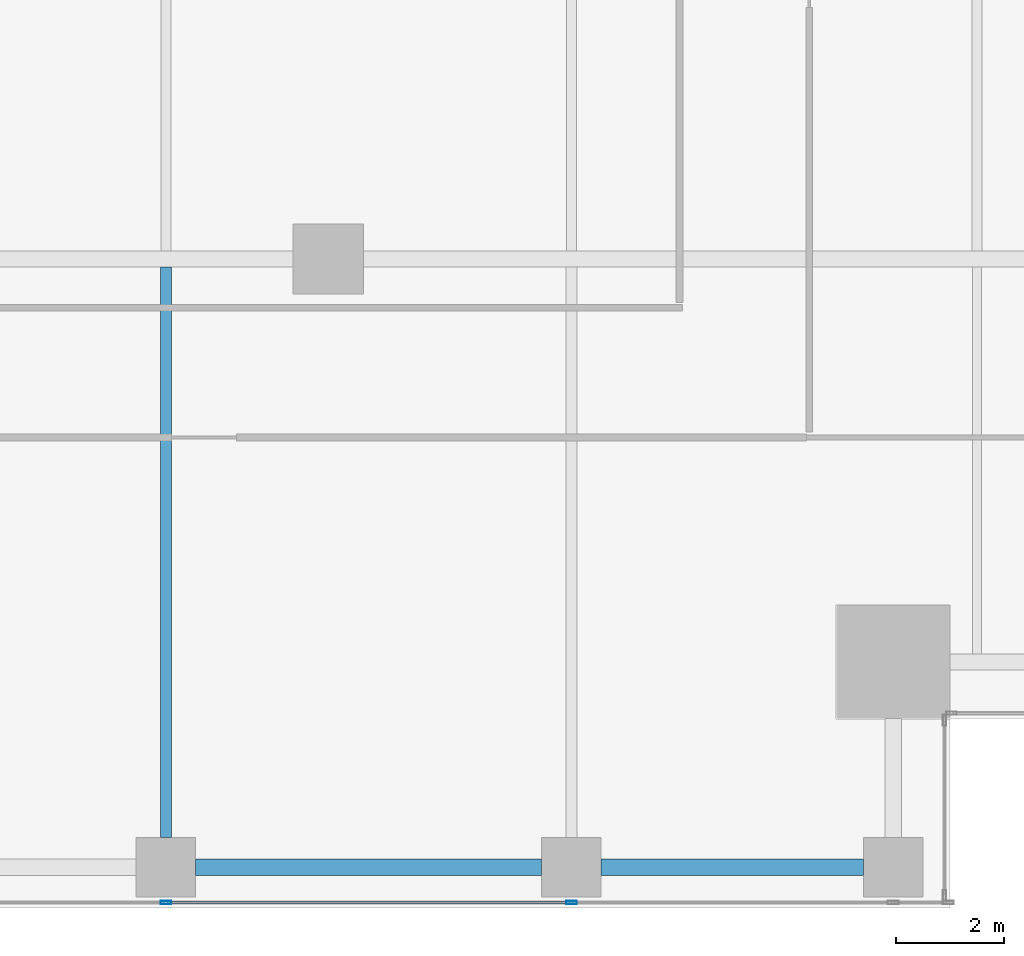
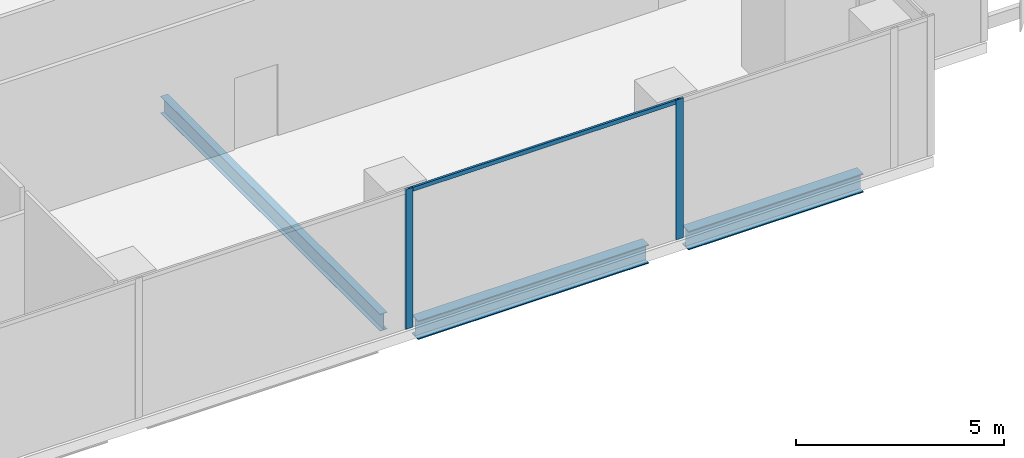
# One storey, part 9 of 33: 3 beams, 3 members, 1 element without a shape of its own.
"""IFC4 building model written with IfcOpenShell, lengths in metres."""

import ifcopenshell
import ifcopenshell.guid

model = None  # the IFC model being written
_history = None  # IfcOwnerHistory: only IFC2X3 demands one
_inside = {}  # id of a spatial element -> (the spatial element, [elements in it])
_under = {}  # id of a project, library or spatial element -> (it, [spatial elements below it])
_declared = {}  # id of a project -> (the project, [libraries it declares])
_typed = {}  # id of a type object -> (the type object, [elements of that type])
_made_of = {}  # id of a material, layer set ... -> (it, [elements and type objects made of it])


def new_model(schema):
    """Start an empty IFC model of exactly this schema.

    Asked for "IFC4X3", IfcOpenShell would pick the latest addendum, in which some entities
    have other attributes; the version numbers below select the first issue.
    IFC2X3 requires an IfcOwnerHistory on every rooted entity: one is made here for all.
    """
    global model, _history
    if schema == "IFC4X3":
        model = ifcopenshell.file(schema_version=(4, 3, 0, 0))
    else:
        model = ifcopenshell.file(schema=schema)
    _inside.clear()
    _under.clear()
    _declared.clear()
    _typed.clear()
    _made_of.clear()
    _history = None
    if model.schema == "IFC2X3":
        org = make("IfcOrganization", Name="unknown")
        user = make(
            "IfcPersonAndOrganization",
            ThePerson=make("IfcPerson", FamilyName="unknown"),
            TheOrganization=org,
        )
        app = make(
            "IfcApplication",
            ApplicationDeveloper=org,
            Version="unknown",
            ApplicationFullName="unknown",
            ApplicationIdentifier="unknown",
        )
        _history = make(
            "IfcOwnerHistory",
            OwningUser=user,
            OwningApplication=app,
            ChangeAction="ADDED",
            CreationDate=0,
        )
    return model


def make(cls, **values):
    """One entity of the class cls with the attributes given. An attribute that is None is left unset."""
    return model.create_entity(
        cls, **{name: value for name, value in values.items() if value is not None}
    )


def rooted(cls, **values):
    """An entity with a GlobalId (a new one), such as an element, a storey or a relation."""
    return make(cls, GlobalId=ifcopenshell.guid.new(), OwnerHistory=_history, **values)


def si_unit(unit_type, name, prefix=None):
    """IfcSIUnit, for example si_unit("LENGTHUNIT", "METRE", prefix="MILLI")."""
    return make("IfcSIUnit", UnitType=unit_type, Prefix=prefix, Name=name)


def assignment(units):
    """IfcUnitAssignment: the units of a project."""
    return None if units is None else make("IfcUnitAssignment", Units=units)


def point(xyz):
    """IfcCartesianPoint."""
    return None if xyz is None else make("IfcCartesianPoint", Coordinates=xyz)


def direction(xyz):
    """IfcDirection."""
    return None if xyz is None else make("IfcDirection", DirectionRatios=xyz)


def frame(location, z_axis=None, x_axis=None):
    """IfcAxis2Placement3D, a coordinate frame: its origin and axes. An axis left out is left unset."""
    return make(
        "IfcAxis2Placement3D",
        Location=point(location),
        Axis=direction(z_axis),
        RefDirection=direction(x_axis),
    )


def frame_2d(location, x_axis=None):
    """IfcAxis2Placement2D, a coordinate frame in the plane: its origin and x axis."""
    return make(
        "IfcAxis2Placement2D", Location=point(location), RefDirection=direction(x_axis)
    )


def origin():
    """The frame at (0, 0, 0) with its axes left unset."""
    return frame((0.0, 0.0, 0.0))


def origin_2d():
    """The frame at (0, 0) in the plane with its x axis left unset."""
    return frame_2d((0.0, 0.0))


def place(relative_to, where):
    """IfcLocalPlacement: puts the frame where relative to a parent placement (None: the world)."""
    return make(
        "IfcLocalPlacement", PlacementRelTo=relative_to, RelativePlacement=where
    )


def context(
    kind, dimensions, precision=None, world=None, true_north=None, identifier=None
):
    """IfcGeometricRepresentationContext, for example the 3D "Model" context."""
    return make(
        "IfcGeometricRepresentationContext",
        ContextIdentifier=identifier,
        ContextType=kind,
        CoordinateSpaceDimension=dimensions,
        Precision=precision,
        WorldCoordinateSystem=world,
        TrueNorth=true_north,
    )


def subcontext(parent, identifier, kind, view, scale=None):
    """IfcGeometricRepresentationSubContext, for example "Body" below "Model"."""
    return make(
        "IfcGeometricRepresentationSubContext",
        ContextIdentifier=identifier,
        ContextType=kind,
        ParentContext=parent,
        TargetScale=scale,
        TargetView=view,
    )


def project(units=None, contexts=None):
    """IfcProject with its units and contexts."""
    return rooted(
        "IfcProject",
        Name="project",
        RepresentationContexts=contexts,
        UnitsInContext=assignment(units),
    )


def spatial(cls, under=None, at=None, **own):
    """A site, building, storey or space (cls), placed at a placement, below another one or the project."""
    s = rooted(cls, ObjectPlacement=at, **own)
    if under is not None:
        _under.setdefault(under.id(), (under, []))[1].append(s)
    return s


def profile(cls, at=None, kind="AREA", **sizes):
    """A parametric profile (cls). Its sizes go by their IFC names, for example OverallWidth=200.0."""
    return make(cls, ProfileType=kind, Position=at, **sizes)


def hollow_rectangle(**sizes):
    """IfcRectangleHollowProfileDef."""
    return profile("IfcRectangleHollowProfileDef", **sizes)


def i_section(**sizes):
    """IfcIShapeProfileDef."""
    return profile("IfcIShapeProfileDef", **sizes)


def extrude(swept, where, along, depth):
    """IfcExtrudedAreaSolid: the profile swept, set in the frame where, extruded along a direction by depth."""
    return make(
        "IfcExtrudedAreaSolid",
        SweptArea=swept,
        Position=where,
        ExtrudedDirection=direction(along),
        Depth=depth,
    )


def shape(context_of_items, identifier, shape_type, items):
    """IfcShapeRepresentation: the items that make up one representation, for example the "Body"."""
    return make(
        "IfcShapeRepresentation",
        ContextOfItems=context_of_items,
        RepresentationIdentifier=identifier,
        RepresentationType=shape_type,
        Items=items,
    )


def source(mapping_origin, context_of_items, identifier, shape_type, items):
    """IfcRepresentationMap: a shape defined once, which mapped items show again and again."""
    return make(
        "IfcRepresentationMap",
        MappingOrigin=mapping_origin,
        MappedRepresentation=shape(context_of_items, identifier, shape_type, items),
    )


def transform(
    local_origin,
    x_axis=None,
    y_axis=None,
    z_axis=None,
    scale=None,
    scale2=None,
    scale3=None,
    uniform=True,
):
    """IfcCartesianTransformationOperator3D, or its non-uniform kind. x_axis, y_axis, z_axis: its Axis1, 2, 3."""
    if uniform:
        return make(
            "IfcCartesianTransformationOperator3D",
            Axis1=direction(x_axis),
            Axis2=direction(y_axis),
            LocalOrigin=point(local_origin),
            Scale=scale,
            Axis3=direction(z_axis),
        )
    return make(
        "IfcCartesianTransformationOperator3DnonUniform",
        Axis1=direction(x_axis),
        Axis2=direction(y_axis),
        LocalOrigin=point(local_origin),
        Scale=scale,
        Axis3=direction(z_axis),
        Scale2=scale2,
        Scale3=scale3,
    )


def mapped(mapping_source, mapping_target):
    """IfcMappedItem: shows the shape of a source again, moved by a transform."""
    return make(
        "IfcMappedItem", MappingSource=mapping_source, MappingTarget=mapping_target
    )


def material(Name=None, Category=None):
    """IfcMaterial."""
    return make("IfcMaterial", Name=Name, Category=Category)


def material_profile(
    of_material, cross_section, Name=None, Category=None, Priority=None
):
    """IfcMaterialProfile: a cross section and its material."""
    return make(
        "IfcMaterialProfile",
        Name=Name,
        Material=of_material,
        Profile=cross_section,
        Priority=Priority,
        Category=Category,
    )


def profile_set(profiles, Name=None, composite=None):
    """IfcMaterialProfileSet."""
    return make(
        "IfcMaterialProfileSet",
        Name=Name,
        MaterialProfiles=profiles,
        CompositeProfile=composite,
    )


def made_of(thing, what):
    """Note that an element or type object is made of a material, layer set ...; save() writes the relation."""
    if what is not None:
        _made_of.setdefault(what.id(), (what, []))[1].append(thing)
    return thing


def type_object(cls, material=None, **own):
    """A type object (cls), such as IfcWallType, which elements share."""
    return made_of(rooted(cls, **own), material)


def element(
    cls,
    number,
    at=None,
    inside=None,
    cuts=None,
    type_object=None,
    material=None,
    context=None,
    identifier="Body",
    shape_type=None,
    held_by="IfcProductDefinitionShape",
    body=None,
    shapes=None,
    **own,
):
    """One element of the class cls, such as IfcWall. Its Tag is "e" and its number.

    at: its placement. inside: the storey or other place that contains it. cuts: it is an
    opening in that element (IfcRelVoidsElement). A single representation is given by context,
    identifier, shape_type and body (its items); several are given by shapes. held_by: the class
    of the entity that holds the representations. save() writes the other relations.
    """
    e = rooted(cls, Tag="e%d" % number, ObjectPlacement=at, **own)
    if body is not None:
        shapes = [shape(context, identifier, shape_type, body)]
    if shapes is not None:
        e.Representation = make(held_by, Representations=shapes)
    if inside is not None:
        _inside.setdefault(inside.id(), (inside, []))[1].append(e)
    if cuts is not None:
        rooted(
            "IfcRelVoidsElement", RelatingBuildingElement=cuts, RelatedOpeningElement=e
        )
    if type_object is not None:
        _typed.setdefault(type_object.id(), (type_object, []))[1].append(e)
    return made_of(e, material)


def aggregate(whole, parts):
    """IfcRelAggregates: a whole, such as a stair, and the parts it consists of."""
    return rooted("IfcRelAggregates", RelatingObject=whole, RelatedObjects=parts)


def save(model, path):
    """Write the relations noted so far, then the file.

    IfcRelAggregates (storeys below a building ...), IfcRelContainedInSpatialStructure (elements
    in a storey), IfcRelDefinesByType, IfcRelAssociatesMaterial and IfcRelDeclares: one each for
    every whole, place, type object, material and project.
    """
    for whole, parts in _under.values():
        aggregate(whole, parts)
    for where, things in _inside.values():
        rooted(
            "IfcRelContainedInSpatialStructure",
            RelatedElements=things,
            RelatingStructure=where,
        )
    for kind, things in _typed.values():
        rooted("IfcRelDefinesByType", RelatedObjects=things, RelatingType=kind)
    for what, things in _made_of.values():
        rooted("IfcRelAssociatesMaterial", RelatedObjects=things, RelatingMaterial=what)
    for by, libraries in _declared.values():
        rooted("IfcRelDeclares", RelatingContext=by, RelatedDefinitions=libraries)
    model.write(path)


model = new_model("IFC4")

# Units and contexts
model_context = context("Model", 3, precision=1e-05, world=origin(), true_north=direction((0.0, 1.0)))
body_context = subcontext(model_context, "Body", "Model", "MODEL_VIEW")
ifc_project = project(units=[si_unit("LENGTHUNIT", "METRE"), si_unit("AREAUNIT", "SQUARE_METRE"), si_unit("VOLUMEUNIT", "CUBIC_METRE"), si_unit("PLANEANGLEUNIT", "RADIAN"), si_unit("MASSUNIT", "GRAM", prefix="KILO")], contexts=[model_context])

# Site, building, storey
site_placement = place(None, origin())
site = spatial("IfcSite", under=ifc_project, at=site_placement, CompositionType="ELEMENT")
building_placement = place(site_placement, origin())
building = spatial("IfcBuilding", under=site, at=building_placement, Name="Khomas Fold Tower", CompositionType="ELEMENT")
storey_placement = place(building_placement, frame((0.0, 0.0, 149.89990234375)))
storey = spatial("IfcBuildingStorey", under=building, at=storey_placement, Name="L32", CompositionType="ELEMENT", Elevation=149.89990234375)

# Beams
ifc_material_1 = material(Name="Steel S355", Category="steel")
ifc_material_profile_1 = material_profile(ifc_material_1, i_section(OverallWidth=0.300048828125, OverallDepth=0.550048828125, WebThickness=0.014892578125, FlangeThickness=0.029052734375, at=origin_2d()), Name="HE 550 B")
ifc_profile_set_1 = profile_set([ifc_material_profile_1], Name="Steel S355")
beam_type_1 = type_object("IfcBeamType", Name="HE 550 B spandrel SB2", PredefinedType="SPANDREL", material=ifc_profile_set_1)
shared_shape_1 = source(origin(), body_context, "Body", "SweptSolid", [
    extrude(i_section(OverallWidth=0.300048828125, OverallDepth=0.550048828125, WebThickness=0.014892578125, FlangeThickness=0.029052734375, at=origin_2d()), origin(), (0.0, 0.0, 1.0), 4.849853515625),
])
beam_1_placement = place(storey_placement, frame((42.550048828125, 2.25, -0.574951171875), z_axis=(1.0, 0.0, 0.0), x_axis=(0.0, 1.0, 0.0)))
element("IfcBeam", 1, at=beam_1_placement, inside=storey, type_object=beam_type_1, Name="SB2", PredefinedType="SPANDREL", context=body_context, shape_type="MappedRepresentation", body=[
    mapped(shared_shape_1, transform((0.0, 0.0, 0.0))),
])
shared_shape_2 = source(origin(), body_context, "Body", "SweptSolid", [
    extrude(i_section(OverallWidth=0.300048828125, OverallDepth=0.550048828125, WebThickness=0.014892578125, FlangeThickness=0.029052734375, at=origin_2d()), origin(), (0.0, 0.0, 1.0), 6.39990234375),
])
beam_2_placement = place(storey_placement, frame((35.050048828125, 2.25, -0.574951171875), z_axis=(1.0, 0.0, 0.0), x_axis=(0.0, 1.0, 0.0)))
element("IfcBeam", 2, at=beam_2_placement, inside=storey, type_object=beam_type_1, Name="SB2", PredefinedType="SPANDREL", context=body_context, shape_type="MappedRepresentation", body=[
    mapped(shared_shape_2, transform((0.0, 0.0, 0.0))),
])
ifc_material_2 = material(Name="Steel S355", Category="steel")
ifc_material_profile_2 = material_profile(ifc_material_2, i_section(OverallWidth=0.199951171875, OverallDepth=0.5, WebThickness=0.01025390625, FlangeThickness=0.01611328125, at=origin_2d()), Name="IPE 500")
ifc_profile_set_2 = profile_set([ifc_material_profile_2], Name="Steel S355")
beam_type_2 = type_object("IfcBeamType", Name="IPE 500 beam JB5", PredefinedType="BEAM", material=ifc_profile_set_2)
shared_shape_3 = source(origin(), body_context, "Body", "SweptSolid", [
    extrude(i_section(OverallWidth=0.199951171875, OverallDepth=0.5, WebThickness=0.01025390625, FlangeThickness=0.01611328125, at=origin_2d()), origin(), (0.0, 0.0, 1.0), 10.550048828125),
])
beam_3_placement = place(storey_placement, frame((34.5, 2.800048828125, -0.5498046875), z_axis=(0.0, 1.0, 0.0), x_axis=(-1.0, 0.0, 0.0)))
element("IfcBeam", 3, at=beam_3_placement, inside=storey, type_object=beam_type_2, Name="JB5", PredefinedType="BEAM", context=body_context, shape_type="MappedRepresentation", body=[
    mapped(shared_shape_3, transform((0.0, 0.0, 0.0))),
])

# Curtain wall, members
ifc_material_3 = material(Name="Aluminium framed double glazing", Category="aluminium")
curtain_wall_type = type_object("IfcCurtainWallType", Name="SK-Unitised clear-glass wall, growing floors CW1", PredefinedType="NOTDEFINED", material=ifc_material_3)
curtain_wall_placement = place(storey_placement, origin())
curtain_wall = element("IfcCurtainWall", 4, at=curtain_wall_placement, inside=storey, type_object=curtain_wall_type, Name="CW1 run L32 00-0", PredefinedType="NOTDEFINED")
ifc_material_4 = material(Name="Aluminium", Category="aluminium")
ifc_material_profile_3 = material_profile(ifc_material_4, hollow_rectangle(XDim=0.06005859375, YDim=0.1201171875, WallThickness=0.00390625, at=origin_2d()), Name="SK-Unitised clear-glass wall, growing floors transom CW1-T")
ifc_profile_set_3 = profile_set([ifc_material_profile_3], Name="Aluminium")
member_type_1 = type_object("IfcMemberType", Name="SK-Unitised clear-glass wall, growing floors transom CW1-T", PredefinedType="USERDEFINED", material=ifc_profile_set_3)
shared_shape_4 = source(origin(), body_context, "Body", "SweptSolid", [
    extrude(hollow_rectangle(XDim=0.06005859375, YDim=0.1201171875, WallThickness=0.00390625, at=origin_2d()), origin(), (0.0, 0.0, 1.0), 7.43994140625),
])
member_1_placement = place(storey_placement, frame((34.530029296875, 1.60009765625, 4.0400390625), z_axis=(1.0, 0.0, 0.0), x_axis=(0.0, 1.0, 0.0)))
member_1 = element("IfcMember", 5, at=member_1_placement, type_object=member_type_1, Name="CW1 transom 6", ObjectType="TRANSOM", PredefinedType="USERDEFINED", context=body_context, shape_type="MappedRepresentation", body=[
    mapped(shared_shape_4, transform((0.0, 0.0, 0.0))),
])
ifc_material_5 = material(Name="Aluminium", Category="aluminium")
ifc_material_profile_4 = material_profile(ifc_material_5, hollow_rectangle(XDim=0.06005859375, YDim=0.199951171875, WallThickness=0.00390625, at=origin_2d()), Name="SK-Unitised clear-glass wall, growing floors mullion CW1-M")
ifc_profile_set_4 = profile_set([ifc_material_profile_4], Name="Aluminium")
member_type_2 = type_object("IfcMemberType", Name="SK-Unitised clear-glass wall, growing floors mullion CW1-M", PredefinedType="MULLION", material=ifc_profile_set_4)
shared_shape_5 = source(origin(), body_context, "Body", "SweptSolid", [
    extrude(hollow_rectangle(XDim=0.06005859375, YDim=0.199951171875, WallThickness=0.00390625, at=origin_2d()), origin(), (0.0, 0.0, 1.0), 4.10009765625),
])
member_2_placement = place(storey_placement, frame((34.5, 1.60009765625, 0.0), z_axis=(0.0, 0.0, 1.0), x_axis=(0.0, 1.0, 0.0)))
member_2 = element("IfcMember", 6, at=member_2_placement, type_object=member_type_2, Name="CW1 mullion 6", PredefinedType="MULLION", context=body_context, shape_type="MappedRepresentation", body=[
    mapped(shared_shape_5, transform((0.0, 0.0, 0.0))),
])
member_3_placement = place(storey_placement, frame((42.0, 1.60009765625, 0.0), z_axis=(0.0, 0.0, 1.0), x_axis=(0.0, 1.0, 0.0)))
member_3 = element("IfcMember", 7, at=member_3_placement, type_object=member_type_2, Name="CW1 mullion 7", PredefinedType="MULLION", context=body_context, shape_type="MappedRepresentation", body=[
    mapped(shared_shape_5, transform((0.0, 0.0, 0.0))),
])
aggregate(curtain_wall, [member_2, member_3, member_1])

save(model, "model.ifc")
